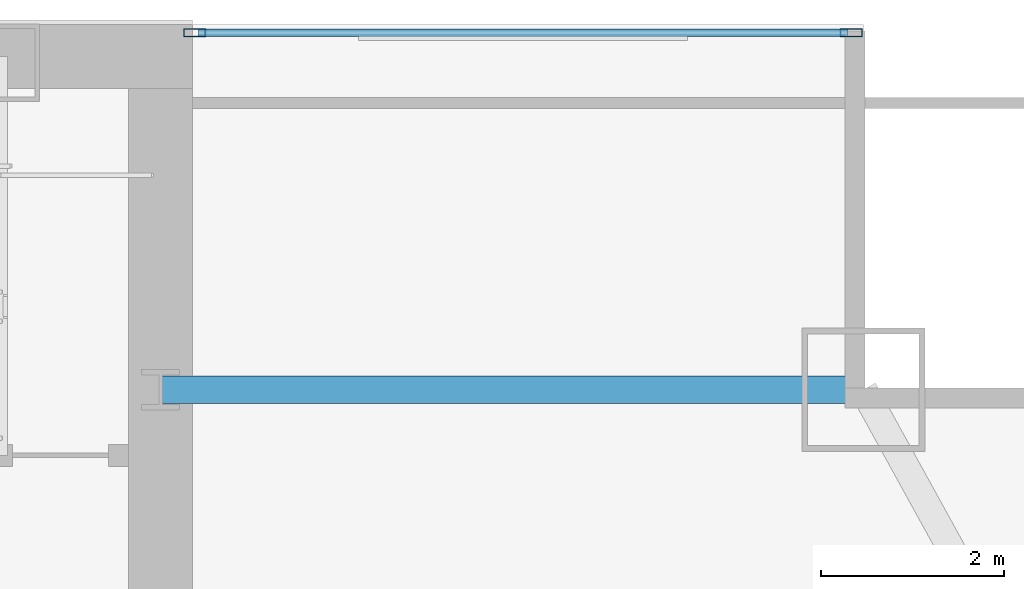
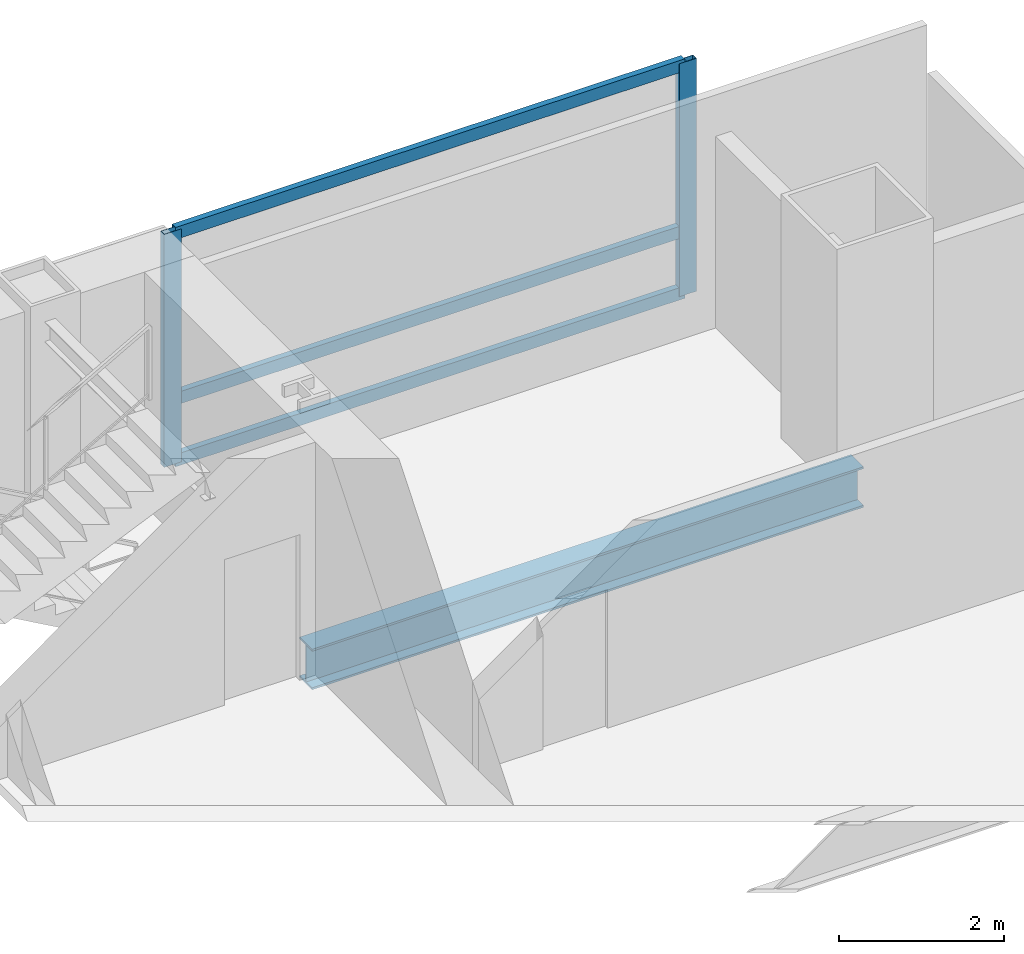
# One storey, part 20 of 29: 5 members, 1 beam, 1 element without a shape of its own.
"""IFC4 building model written with IfcOpenShell, lengths in metres."""

from ifc_helpers import new_model, si_unit, direction, frame, origin, origin_2d, place, context, subcontext, project, spatial, hollow_rectangle, i_section, extrude, material, material_profile, profile_set, type_object, element, aggregate, save


model = new_model("IFC4")

# Units and contexts
model_context = context("Model", 3, precision=1e-05, world=origin(), true_north=direction((0.0, 1.0)))
body_context = subcontext(model_context, "Body", "Model", "MODEL_VIEW")
ifc_project = project(units=[si_unit("LENGTHUNIT", "METRE"), si_unit("AREAUNIT", "SQUARE_METRE"), si_unit("VOLUMEUNIT", "CUBIC_METRE"), si_unit("PLANEANGLEUNIT", "RADIAN"), si_unit("MASSUNIT", "GRAM", prefix="KILO")], contexts=[model_context])

# Site, building, storey
site_placement = place(None, origin())
site = spatial("IfcSite", under=ifc_project, at=site_placement, CompositionType="ELEMENT")
building_placement = place(site_placement, origin())
building = spatial("IfcBuilding", under=site, at=building_placement, Name="Khoronbel Lancet Exchange", CompositionType="ELEMENT")
storey_placement = place(building_placement, frame((0.0, 0.0, 143.39990234375)))
storey = spatial("IfcBuildingStorey", under=building, at=storey_placement, Name="L35", CompositionType="ELEMENT", Elevation=143.39990234375)

# Beam
ifc_material_1 = material(Name="Steel S355", Category="steel")
ifc_material_profile_1 = material_profile(ifc_material_1, i_section(OverallWidth=0.300048828125, OverallDepth=0.60009765625, WebThickness=0.015380859375, FlangeThickness=0.030029296875, at=origin_2d()), Name="HEB 600")
ifc_profile_set_1 = profile_set([ifc_material_profile_1], Name="Steel S355")
beam_type = type_object("IfcBeamType", Name="BM-BSP2", PredefinedType="SPANDREL", material=ifc_profile_set_1)
beam_placement = place(storey_placement, frame((64.050048828125, 49.699951171875, -0.4599609375), z_axis=(-1.0, 0.0, 0.0), x_axis=(0.0, -1.0, 0.0)))
element("IfcBeam", 1, at=beam_placement, inside=storey, type_object=beam_type, Name="Level L35 north flank tie spandrel SP23", PredefinedType="SPANDREL", context=body_context, shape_type="SweptSolid", body=[
    extrude(i_section(OverallWidth=0.300048828125, OverallDepth=0.60009765625, WebThickness=0.015380859375, FlangeThickness=0.030029296875, at=origin_2d()), origin(), (0.0, 0.0, 1.0), 7.699951171875),
])

# Curtain wall, members
ifc_material_2 = material(Name="Low-E Solar Control Insulating Glass", Category="glass")
curtain_wall_type = type_object("IfcCurtainWallType", Name="CW-3", PredefinedType="NOTDEFINED", material=ifc_material_2)
curtain_wall_placement = place(storey_placement, origin())
curtain_wall = element("IfcCurtainWall", 2, at=curtain_wall_placement, inside=storey, type_object=curtain_wall_type, Name="Unitised curtain wall CW-L35-NEFLK", PredefinedType="NOTDEFINED")
ifc_material_3 = material(Name="Bronze-Anodised Aluminium 6063-T6", Category="aluminium")
ifc_material_profile_2 = material_profile(ifc_material_3, hollow_rectangle(XDim=0.0849609375, YDim=0.239990234375, WallThickness=0.006103515625, at=origin_2d()), Name="ALU MULLION 85x240")
ifc_profile_set_2 = profile_set([ifc_material_profile_2], Name="Bronze-Anodised Aluminium 6063-T6")
member_type_1 = type_object("IfcMemberType", Name="MEM-CWM1", PredefinedType="MULLION", material=ifc_profile_set_2)
member_1_placement = place(storey_placement, frame((63.91748046875, 53.610107421875, 0.0), z_axis=(0.0, 0.0, 1.0), x_axis=(0.0, -1.0, 0.0)))
member_1 = element("IfcMember", 3, at=member_1_placement, type_object=member_type_1, Name="CW3 mullion 1", PredefinedType="MULLION", context=body_context, shape_type="SweptSolid", body=[
    extrude(hollow_rectangle(XDim=0.0849609375, YDim=0.239990234375, WallThickness=0.006103515625, at=origin_2d()), origin(), (0.0, 0.0, 1.0), 3.440185546875),
])
member_2_placement = place(storey_placement, frame((56.722412109375, 53.610107421875, 0.0), z_axis=(0.0, 0.0, 1.0), x_axis=(0.0, -1.0, 0.0)))
member_2 = element("IfcMember", 4, at=member_2_placement, type_object=member_type_1, Name="CW3 mullion 2", PredefinedType="MULLION", context=body_context, shape_type="SweptSolid", body=[
    extrude(hollow_rectangle(XDim=0.0849609375, YDim=0.239990234375, WallThickness=0.006103515625, at=origin_2d()), origin(), (0.0, 0.0, 1.0), 3.440185546875),
])
ifc_material_profile_3 = material_profile(ifc_material_3, hollow_rectangle(XDim=0.0849609375, YDim=0.179931640625, WallThickness=0.0048828125, at=origin_2d()), Name="ALU TRANSOM 85x180")
ifc_profile_set_3 = profile_set([ifc_material_profile_3], Name="Bronze-Anodised Aluminium 6063-T6")
member_type_2 = type_object("IfcMemberType", Name="MEM-CWT1", PredefinedType="USERDEFINED", material=ifc_profile_set_3)
member_3_placement = place(storey_placement, frame((63.875, 53.610107421875, 0.04248046875), z_axis=(-1.0, 0.0, 0.0), x_axis=(0.0, -1.0, 0.0)))
member_3 = element("IfcMember", 5, at=member_3_placement, type_object=member_type_2, Name="CW3 transom 1.1", ObjectType="TRANSOM", PredefinedType="USERDEFINED", context=body_context, shape_type="SweptSolid", body=[
    extrude(hollow_rectangle(XDim=0.0849609375, YDim=0.179931640625, WallThickness=0.0048828125, at=origin_2d()), origin(), (0.0, 0.0, 1.0), 7.110107421875),
])
member_4_placement = place(storey_placement, frame((63.875, 53.610107421875, 0.9501953125), z_axis=(-1.0, 0.0, 0.0), x_axis=(0.0, -1.0, 0.0)))
member_4 = element("IfcMember", 6, at=member_4_placement, type_object=member_type_2, Name="CW3 transom 1.2", ObjectType="TRANSOM", PredefinedType="USERDEFINED", context=body_context, shape_type="SweptSolid", body=[
    extrude(hollow_rectangle(XDim=0.0849609375, YDim=0.179931640625, WallThickness=0.0048828125, at=origin_2d()), origin(), (0.0, 0.0, 1.0), 7.110107421875),
])
member_5_placement = place(storey_placement, frame((63.875, 53.610107421875, 3.397705078125), z_axis=(-1.0, 0.0, 0.0), x_axis=(0.0, -1.0, 0.0)))
member_5 = element("IfcMember", 7, at=member_5_placement, type_object=member_type_2, Name="CW3 transom 1.3", ObjectType="TRANSOM", PredefinedType="USERDEFINED", context=body_context, shape_type="SweptSolid", body=[
    extrude(hollow_rectangle(XDim=0.0849609375, YDim=0.179931640625, WallThickness=0.0048828125, at=origin_2d()), origin(), (0.0, 0.0, 1.0), 7.110107421875),
])
aggregate(curtain_wall, [member_1, member_2, member_3, member_4, member_5])

save(model, "model.ifc")
